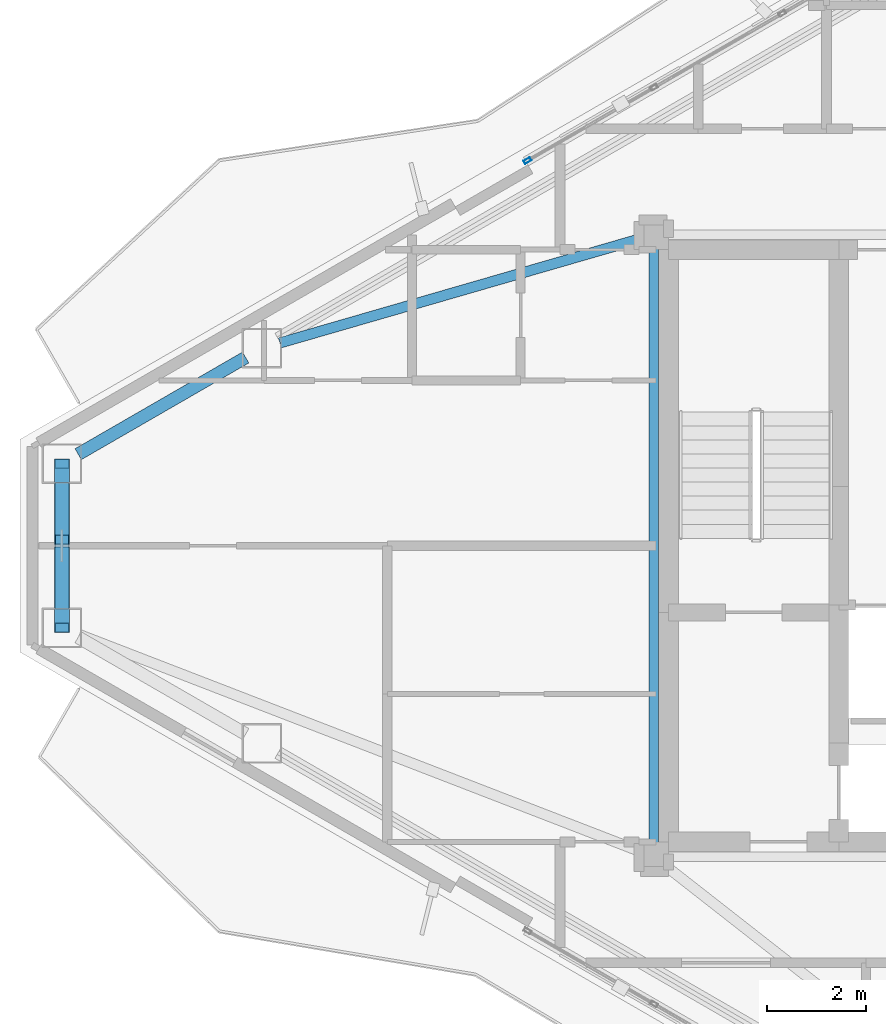
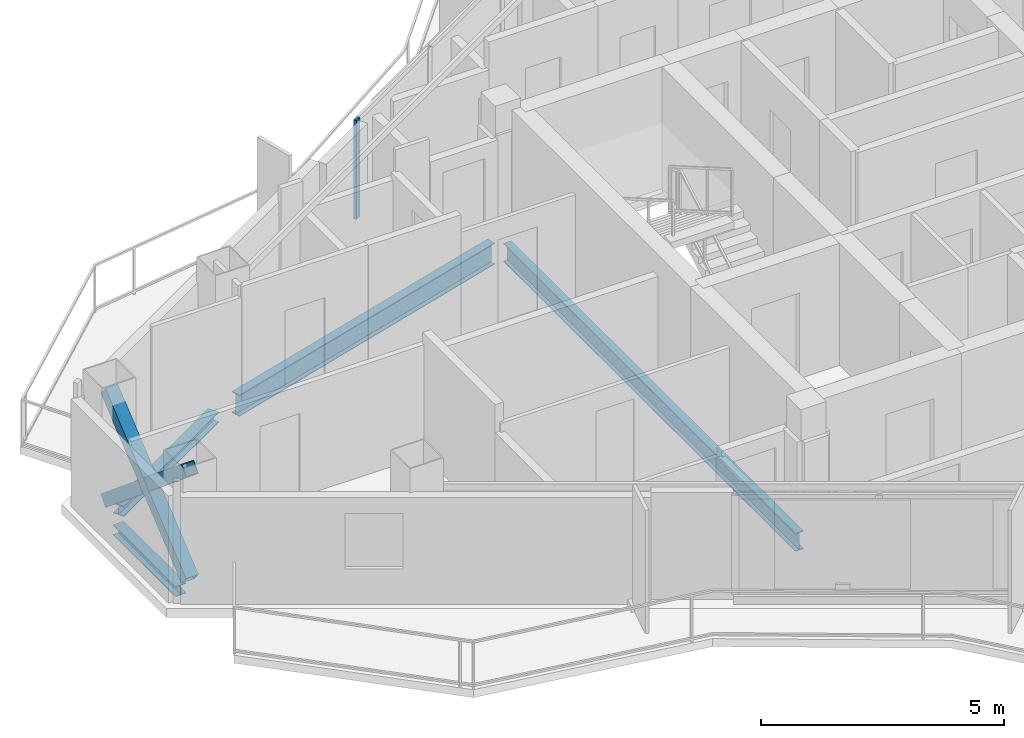
# One storey, part 7 of 22: 4 beams, 4 members, 1 element without a shape of its own.
"""IFC4 building model written with IfcOpenShell, lengths in metres."""

from ifc_helpers import new_model, si_unit, direction, frame, origin, origin_2d, place, context, subcontext, project, spatial, hollow_rectangle, i_section, extrude, material, layer, layer_set, material_profile, profile_set, type_object, element, aggregate, save


model = new_model("IFC4")

# Units and contexts
model_context = context("Model", 3, precision=1e-05, world=origin(), true_north=direction((0.0, 1.0)))
body_context = subcontext(model_context, "Body", "Model", "MODEL_VIEW")
ifc_project = project(units=[si_unit("LENGTHUNIT", "METRE"), si_unit("AREAUNIT", "SQUARE_METRE"), si_unit("VOLUMEUNIT", "CUBIC_METRE"), si_unit("PLANEANGLEUNIT", "RADIAN"), si_unit("MASSUNIT", "GRAM", prefix="KILO")], contexts=[model_context])

# Site, building, storey
site_placement = place(None, origin())
site = spatial("IfcSite", under=ifc_project, at=site_placement, CompositionType="ELEMENT")
building_placement = place(site_placement, origin())
building = spatial("IfcBuilding", under=site, at=building_placement, Name="Mersakhor Tower and Convention Hall", CompositionType="ELEMENT")
storey_placement = place(building_placement, frame((0.0, 0.0, 201.89990234375)))
storey = spatial("IfcBuildingStorey", under=building, at=storey_placement, Name="L56", CompositionType="ELEMENT", Elevation=201.89990234375)

# Beams
ifc_material_1 = material(Name="Steel S355", Category="steel")
ifc_material_profile_1 = material_profile(ifc_material_1, i_section(OverallWidth=0.19140625, OverallDepth=0.4599609375, WebThickness=0.010009765625, FlangeThickness=0.01611328125, at=origin_2d()), Name="UB 457x191x82")
ifc_profile_set_1 = profile_set([ifc_material_profile_1], Name="Steel S355")
beam_type_1 = type_object("IfcBeamType", Name="BM-FB-457", PredefinedType="BEAM", material=ifc_profile_set_1)
beam_1_placement = place(storey_placement, frame((21.89990234375, 20.72998046875, -0.4599609375), z_axis=(0.0, 1.0, 0.0), x_axis=(-1.0, 0.0, 0.0)))
element("IfcBeam", 1, at=beam_1_placement, inside=storey, type_object=beam_type_1, Name="L56 Core Ring Tie Beam CRB-1", PredefinedType="BEAM", context=body_context, shape_type="SweptSolid", body=[
    extrude(i_section(OverallWidth=0.19140625, OverallDepth=0.4599609375, WebThickness=0.010009765625, FlangeThickness=0.01611328125, at=origin_2d()), origin(), (0.0, 0.0, 1.0), 12.0400390625),
])
ifc_material_2 = material(Name="Steel S355", Category="steel")
ifc_material_profile_2 = material_profile(ifc_material_2, i_section(OverallWidth=0.2099609375, OverallDepth=0.53662109375, WebThickness=0.0107421875, FlangeThickness=0.017333984375, at=origin_2d()), Name="UB 533x210x101")
ifc_profile_set_2 = profile_set([ifc_material_profile_2], Name="Steel S355")
beam_type_2 = type_object("IfcBeamType", Name="BM-FB-533", PredefinedType="BEAM", material=ifc_profile_set_2)
beam_2_placement = place(storey_placement, frame((21.631103515625, 32.97216796875, -0.498291015625), z_axis=(-0.960673848118, -0.277679234987, 0.0), x_axis=(0.277679234987, -0.960673848118, 0.0)))
element("IfcBeam", 2, at=beam_2_placement, inside=storey, type_object=beam_type_2, Name="L56 Primary Floor Girder FG-1", PredefinedType="BEAM", context=body_context, shape_type="SweptSolid", body=[
    extrude(i_section(OverallWidth=0.2099609375, OverallDepth=0.53662109375, WebThickness=0.0107421875, FlangeThickness=0.017333984375, at=origin_2d()), origin(), (0.0, 0.0, 1.0), 7.605224609375),
])
ifc_material_3 = material(Name="Steel S355", Category="steel")
ifc_material_profile_3 = material_profile(ifc_material_3, i_section(OverallWidth=0.25634765625, OverallDepth=0.26025390625, WebThickness=0.01025390625, FlangeThickness=0.017333984375, at=origin_2d()), Name="UC 254x254x89")
ifc_profile_set_3 = profile_set([ifc_material_profile_3], Name="Steel S355")
beam_type_3 = type_object("IfcBeamType", Name="BM-SPD-UC254", PredefinedType="SPANDREL", material=ifc_profile_set_3)
beam_3_placement = place(storey_placement, frame((10.236572265625, 28.605224609375, -0.360107421875), z_axis=(0.866007153761, 0.500031608635, 0.0), x_axis=(-0.500031608635, 0.866007153761, 0.0)))
element("IfcBeam", 3, at=beam_3_placement, inside=storey, type_object=beam_type_3, Name="L56 Perimeter Spandrel Beam SPB-01", PredefinedType="SPANDREL", context=body_context, shape_type="SweptSolid", body=[
    extrude(i_section(OverallWidth=0.25634765625, OverallDepth=0.26025390625, WebThickness=0.01025390625, FlangeThickness=0.017333984375, at=origin_2d()), origin(), (0.0, 0.0, 1.0), 3.919189453125),
])
beam_4_placement = place(storey_placement, frame((9.907470703125, 25.464599609375, -0.360107421875), z_axis=(0.0, 1.0, 0.0), x_axis=(-1.0, 0.0, 0.0)))
element("IfcBeam", 4, at=beam_4_placement, inside=storey, type_object=beam_type_3, Name="L56 Perimeter Spandrel Beam SPB-12", PredefinedType="SPANDREL", context=body_context, shape_type="SweptSolid", body=[
    extrude(i_section(OverallWidth=0.25634765625, OverallDepth=0.26025390625, WebThickness=0.01025390625, FlangeThickness=0.017333984375, at=origin_2d()), origin(), (0.0, 0.0, 1.0), 2.57080078125),
])

# Curtain wall, member
ifc_material_4 = material(Name="Dark solar low-E aluminium curtain wall", Category="aluminium")
ifc_layer = layer(ifc_material_4, 0.169921875)
ifc_layer_set = layer_set([ifc_layer], Name="Dark solar low-E aluminium curtain wall")
curtain_wall_type = type_object("IfcCurtainWallType", Name="CW-SYS-02", PredefinedType="USERDEFINED", material=ifc_layer_set)
curtain_wall_placement = place(storey_placement, origin())
curtain_wall = element("IfcCurtainWall", 5, at=curtain_wall_placement, inside=storey, type_object=curtain_wall_type, Name="L56 Dark-Glass Curtain Wall F1-B2", ObjectType="CURTAIN WALL", PredefinedType="USERDEFINED")
ifc_material_5 = material(Name="Anodised aluminium EN AW-6063 T6", Category="aluminium")
ifc_material_profile_4 = material_profile(ifc_material_5, hollow_rectangle(XDim=0.074951171875, YDim=0.14990234375, WallThickness=0.00634765625, at=origin_2d()), Name="RHS 150x75x6.3")
ifc_profile_set_4 = profile_set([ifc_material_profile_4], Name="Anodised aluminium EN AW-6063 T6")
member_type_1 = type_object("IfcMemberType", Name="CWM-150x75", PredefinedType="MULLION", material=ifc_profile_set_4)
member_1_placement = place(storey_placement, frame((19.341796875, 34.554931640625, 0.2001953125), z_axis=(0.0, 0.0, 1.0), x_axis=(-0.500007824483, 0.86602088627, 0.0)))
member_1 = element("IfcMember", 6, at=member_1_placement, type_object=member_type_1, Name="CW-02 mullion 1", PredefinedType="MULLION", context=body_context, shape_type="SweptSolid", body=[
    extrude(hollow_rectangle(XDim=0.074951171875, YDim=0.14990234375, WallThickness=0.00634765625, at=origin_2d()), origin(), (0.0, 0.0, 1.0), 2.489990234375),
])
aggregate(curtain_wall, [member_1])

# Members
ifc_material_6 = material(Name="Steel S355", Category="steel")
ifc_material_profile_5 = material_profile(ifc_material_6, hollow_rectangle(XDim=0.300048828125, YDim=0.300048828125, WallThickness=0.01611328125, at=origin_2d()), Name="SHS 300x300x16")
ifc_profile_set_5 = profile_set([ifc_material_profile_5], Name="Steel S355")
member_type_2 = type_object("IfcMemberType", Name="MB-BRC-SHS300", PredefinedType="BRACE", material=ifc_profile_set_5)
member_2_placement = place(storey_placement, frame((9.907470703125, 25.084716796875, 0.150146484375), z_axis=(0.0, 0.768839937868, 0.639441279508), x_axis=(-1.0, 0.0, 0.0)))
element("IfcMember", 7, at=member_2_placement, inside=storey, type_object=member_type_2, Name="L56 Chamfer Braced Frame Diagonal CB-3A", PredefinedType="BRACE", context=body_context, shape_type="SweptSolid", body=[
    extrude(hollow_rectangle(XDim=0.300048828125, YDim=0.300048828125, WallThickness=0.01611328125, at=origin_2d()), origin(), (0.0, 0.0, 1.0), 4.33203125),
])
member_3_placement = place(storey_placement, frame((9.907470703125, 28.415283203125, 0.150146484375), z_axis=(0.0, -0.768899389676, 0.639369790149), x_axis=(1.0, 0.0, 0.0)))
element("IfcMember", 8, at=member_3_placement, inside=storey, type_object=member_type_2, Name="L56 Chamfer Braced Frame Diagonal CB-3B Lower Half", PredefinedType="BRACE", context=body_context, shape_type="SweptSolid", body=[
    extrude(hollow_rectangle(XDim=0.300048828125, YDim=0.300048828125, WallThickness=0.01611328125, at=origin_2d()), origin(), (0.0, 0.0, 1.0), 2.00537109375),
])
member_4_placement = place(storey_placement, frame((9.907470703125, 26.626708984375, 1.6376953125), z_axis=(0.0, -0.768839543052, 0.63944175422), x_axis=(1.0, 0.0, 0.0)))
element("IfcMember", 9, at=member_4_placement, inside=storey, type_object=member_type_2, Name="L56 Chamfer Braced Frame Diagonal CB-3B Upper Half", PredefinedType="BRACE", context=body_context, shape_type="SweptSolid", body=[
    extrude(hollow_rectangle(XDim=0.300048828125, YDim=0.300048828125, WallThickness=0.01611328125, at=origin_2d()), origin(), (0.0, 0.0, 1.0), 2.005615234375),
])

save(model, "model.ifc")
